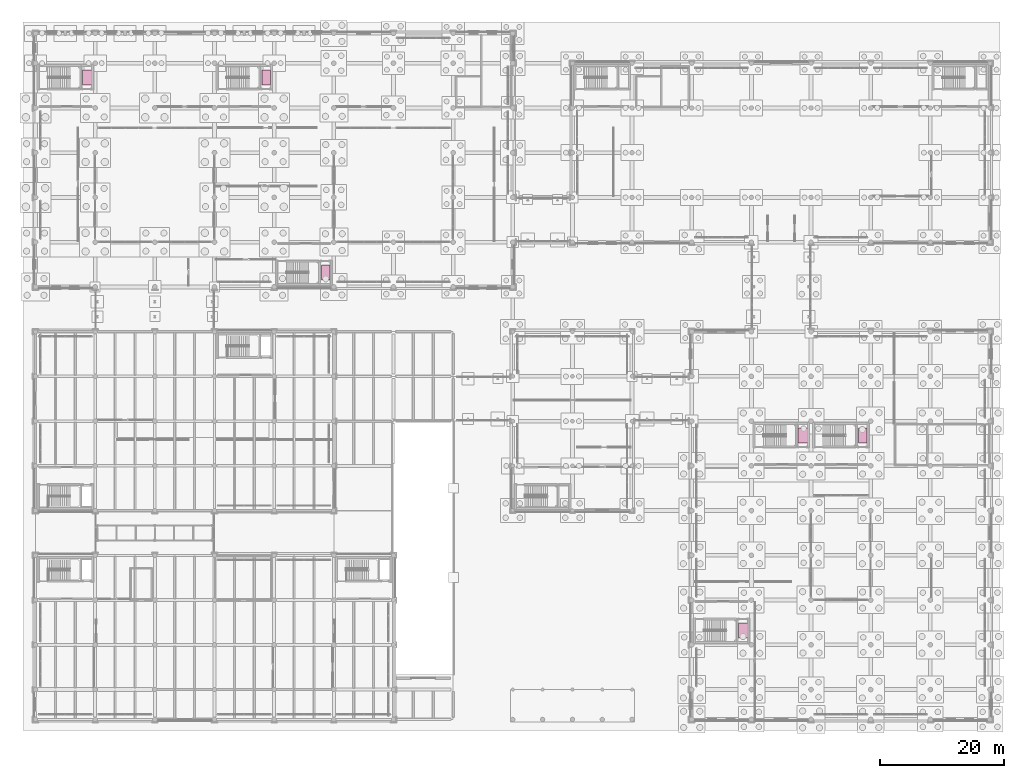
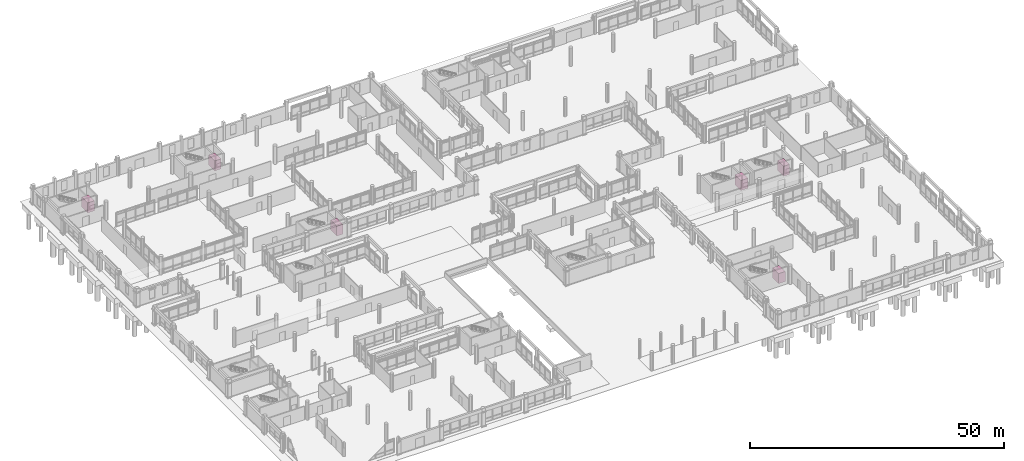
# One storey, part 196 of 196: 6 transport elements.
"""IFC4 building model written with IfcOpenShell, lengths in metres."""

from ifc_helpers import new_model, si_unit, direction, frame, origin, origin_2d, place, context, subcontext, project, spatial, rectangle, extrude, material, type_object, element, save


model = new_model("IFC4")

# Units and contexts
model_context = context("Model", 3, precision=1e-05, world=origin(), true_north=direction((0.0, 1.0)))
body_context = subcontext(model_context, "Body", "Model", "MODEL_VIEW")
ifc_project = project(units=[si_unit("LENGTHUNIT", "METRE"), si_unit("AREAUNIT", "SQUARE_METRE"), si_unit("VOLUMEUNIT", "CUBIC_METRE"), si_unit("PLANEANGLEUNIT", "RADIAN"), si_unit("MASSUNIT", "GRAM", prefix="KILO")], contexts=[model_context])

# Site, building, storey
site_placement = place(None, origin())
site = spatial("IfcSite", under=ifc_project, at=site_placement, CompositionType="ELEMENT")
building_placement = place(site_placement, origin())
building = spatial("IfcBuilding", under=site, at=building_placement, Name="Asteropetra Specialist Clinic", CompositionType="ELEMENT")
storey_placement = place(building_placement, origin())
storey = spatial("IfcBuildingStorey", under=building, at=storey_placement, Name="L00", CompositionType="ELEMENT", Elevation=0.0)

# Transport elements
ifc_material_1 = material(Name="Stainless steel elevator car", Category="steel")
transport_element_type_1 = type_object("IfcTransportElementType", Name="LFT-FF-2000", PredefinedType="ELEVATOR", material=ifc_material_1)
for number, where, z_axis, x_axis, name in (
    (1, (8.324951171875, 103.2900390625, 0.0), (0.0, 0.0, 1.0), (1.0, 0.0, 0.0), "Elevator FL-01"),
    (2, (113.925048828125, 14.31005859375, 0.0), (0.0, 0.0, 1.0), (1.0, 0.0, 0.0), "Elevator FL-02"),
):
    element("IfcTransportElement", number, at=place(storey_placement, frame(where, z_axis=z_axis, x_axis=x_axis)), inside=storey, type_object=transport_element_type_1, Name=name, PredefinedType="ELEVATOR", context=body_context, shape_type="SweptSolid", body=[
        extrude(rectangle(XDim=1.60009765625, YDim=2.39990234375, at=origin_2d()), origin(), (0.0, 0.0, 1.0), 2.39990234375),
    ])
ifc_material_2 = material(Name="Stainless steel elevator car", Category="steel")
transport_element_type_2 = type_object("IfcTransportElementType", Name="LFT-PASS-1600", PredefinedType="ELEVATOR", material=ifc_material_2)
for number, where, z_axis, x_axis, name in (
    (3, (37.125, 103.2900390625, 0.0), (0.0, 0.0, 1.0), (1.0, 0.0, 0.0), "Elevator PL-01"),
    (4, (46.72509765625, 71.909912109375, 0.0), (0.0, 0.0, 1.0), (1.0, 0.0, 0.0), "Elevator PL-02"),
    (5, (133.125, 45.68994140625, 0.0), (0.0, 0.0, 1.0), (1.0, 0.0, 0.0), "Elevator PL-06"),
):
    element("IfcTransportElement", number, at=place(storey_placement, frame(where, z_axis=z_axis, x_axis=x_axis)), inside=storey, type_object=transport_element_type_2, Name=name, PredefinedType="ELEVATOR", context=body_context, shape_type="SweptSolid", body=[
        extrude(rectangle(XDim=1.39990234375, YDim=2.39990234375, at=origin_2d()), origin(), (0.0, 0.0, 1.0), 2.39990234375),
    ])
ifc_material_3 = material(Name="Stainless steel elevator car", Category="steel")
transport_element_type_3 = type_object("IfcTransportElementType", Name="LFT-SERV-2000", PredefinedType="ELEVATOR", material=ifc_material_3)
transport_element_placement = place(storey_placement, frame((123.52490234375, 45.68994140625, 0.0), z_axis=(0.0, 0.0, 1.0), x_axis=(1.0, 0.0, 0.0)))
element("IfcTransportElement", 6, at=transport_element_placement, inside=storey, type_object=transport_element_type_3, Name="Elevator SL-02", PredefinedType="ELEVATOR", context=body_context, shape_type="SweptSolid", body=[
    extrude(rectangle(XDim=1.60009765625, YDim=2.39990234375, at=origin_2d()), origin(), (0.0, 0.0, 1.0), 2.39990234375),
])

save(model, "model.ifc")
